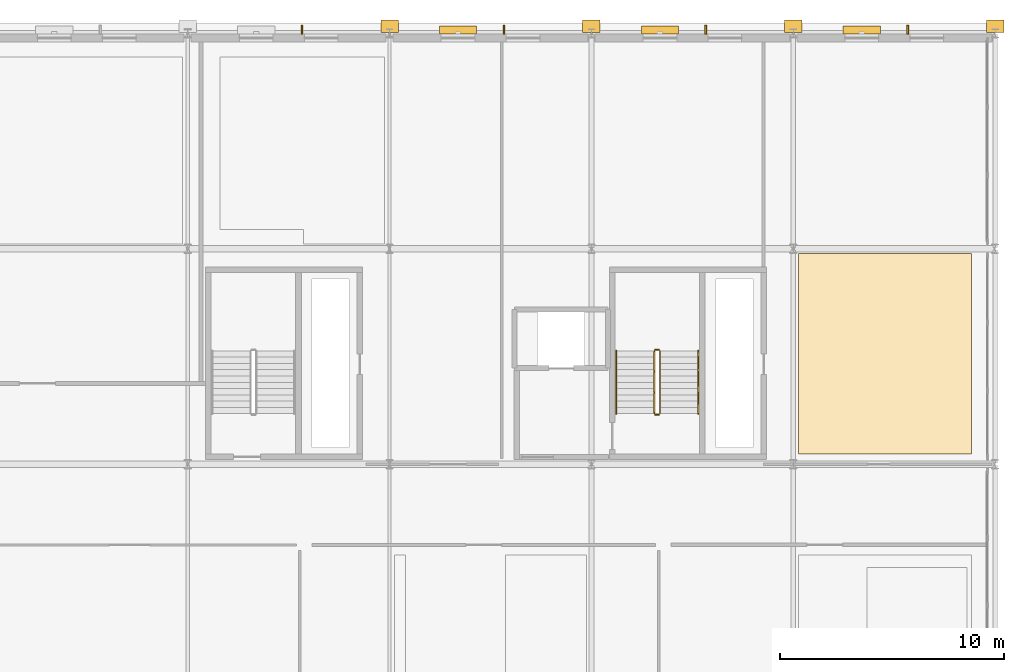
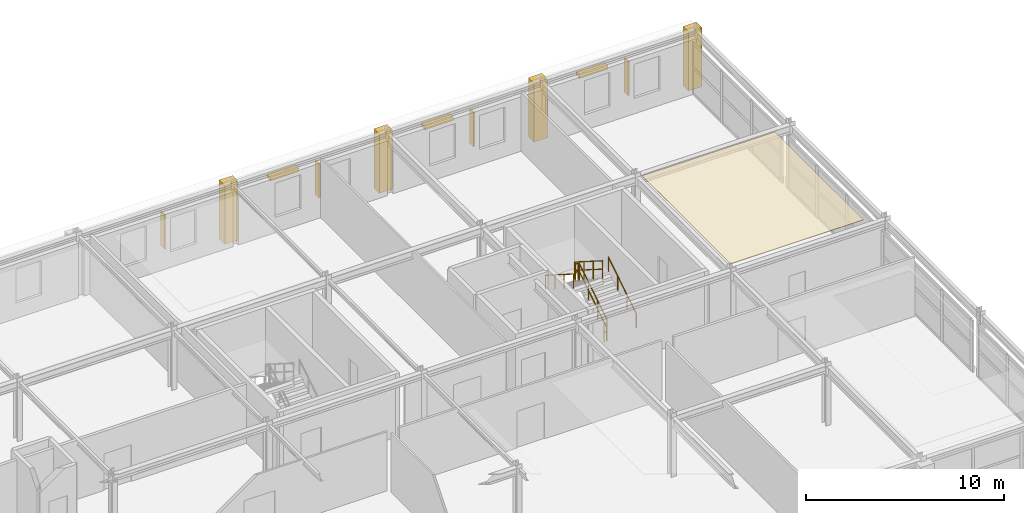
# One storey, part 52 of 52: 7 shading devices, 6 railings, 5 coverings.
"""IFC4 building model written with IfcOpenShell, lengths in metres."""

from ifc_helpers import new_model, si_unit, direction, frame, origin, origin_2d, place, context, subcontext, project, spatial, polyline, rectangle, outline, extrude, material, layer, layer_set, type_object, element, save


model = new_model("IFC4")

# Units and contexts
model_context = context("Model", 3, precision=1e-05, world=origin(), true_north=direction((0.0, 1.0)))
body_context = subcontext(model_context, "Body", "Model", "MODEL_VIEW")
ifc_project = project(units=[si_unit("LENGTHUNIT", "METRE"), si_unit("AREAUNIT", "SQUARE_METRE"), si_unit("VOLUMEUNIT", "CUBIC_METRE"), si_unit("PLANEANGLEUNIT", "RADIAN"), si_unit("MASSUNIT", "GRAM", prefix="KILO")], contexts=[model_context])

# Site, building, storey
site_placement = place(None, origin())
site = spatial("IfcSite", under=ifc_project, at=site_placement, CompositionType="ELEMENT")
building_placement = place(site_placement, origin())
building = spatial("IfcBuilding", under=site, at=building_placement, Name="Myrtia Square Station", CompositionType="ELEMENT")
storey_placement = place(building_placement, frame((0.0, 0.0, 15.0)))
storey = spatial("IfcBuildingStorey", under=building, at=storey_placement, Name="L03", CompositionType="ELEMENT", Elevation=15.0)

# Coverings
ifc_material_1 = material(Name="Pentelic marble ashlar", Category="masonry")
ifc_layer_1 = layer(ifc_material_1, 0.4599609375, Name="Pentelic marble ashlar")
ifc_layer_set_1 = layer_set([ifc_layer_1], Name="Pentelic marble ashlar")
covering_type_1 = type_object("IfcCoveringType", Name="COV-ARCH-ASHLAR", PredefinedType="CLADDING", material=ifc_layer_set_1)
for number, where, z_axis, x_axis, name in (
    (1, (162.0, 125.1201171875, -0.0400390625), (0.0, 0.0, 1.0), (1.0, 0.0, 0.0), "Classical Pentelic ashlar pilaster 102"),
    (2, (171.0, 125.1201171875, -0.0400390625), (0.0, 0.0, 1.0), (1.0, 0.0, 0.0), "Classical Pentelic ashlar pilaster 112"),
    (3, (180.0, 125.1201171875, -0.0400390625), (0.0, 0.0, 1.0), (1.0, 0.0, 0.0), "Classical Pentelic ashlar pilaster 122"),
    (4, (189.0, 125.1201171875, -0.0400390625), (0.0, 0.0, 1.0), (1.0, 0.0, 0.0), "Classical Pentelic ashlar pilaster 131"),
):
    element("IfcCovering", number, at=place(storey_placement, frame(where, z_axis=z_axis, x_axis=x_axis)), inside=storey, type_object=covering_type_1, Name=name, PredefinedType="CLADDING", context=body_context, shape_type="SweptSolid", body=[
        extrude(rectangle(XDim=0.780029296875, YDim=0.56005859375, at=origin_2d()), origin(), (0.0, 0.0, 1.0), 3.639892578125),
    ])
ifc_material_2 = material(Name="Gypsum plasterboard")
ifc_layer_2 = layer(ifc_material_2, 0.034912109375, Name="Gypsum plasterboard")
ifc_layer_set_2 = layer_set([ifc_layer_2], Name="Gypsum plasterboard")
covering_type_2 = type_object("IfcCoveringType", Name="COV-CEIL-ACOUSTIC", PredefinedType="CEILING", material=ifc_layer_set_2)
covering_placement = place(storey_placement, frame((0.0, 0.0, 3.625)))
element("IfcCovering", 5, at=covering_placement, inside=storey, type_object=covering_type_2, Name="Acoustic coffer ceiling L03-17", PredefinedType="CEILING", context=body_context, shape_type="SweptSolid", body=[
    extrude(outline(polyline([(187.949951171875, 106.050048828125), (180.219970703125, 106.050048828125), (180.219970703125, 114.97998046875), (187.949951171875, 114.97998046875), (187.949951171875, 106.050048828125)])), origin(), (0.0, 0.0, 1.0), 0.034912109375),
])

# Railings
ifc_material_3 = material(Name="Dark bronze anodised aluminium", Category="aluminium")
railing_type_1 = type_object("IfcRailingType", Name="RL-HANDRAIL-900", PredefinedType="HANDRAIL", material=ifc_material_3)
railing_1_placement = place(storey_placement, frame((175.760009765625, 107.85009765625, 0.17724609375)))
element("IfcRailing", 6, at=railing_1_placement, inside=storey, type_object=railing_type_1, Name="L03 ST08 stair handrail 1", PredefinedType="HANDRAIL", context=body_context, shape_type="SweptSolid", body=[
    extrude(rectangle(XDim=0.048095703125, YDim=0.048095703125, at=origin_2d()), frame((0.0, 0.029296875, 0.894287109375), z_axis=(0.0, 0.844887892834, 0.53494340686), x_axis=(-1.0, 0.0, 0.0)), (0.0, 0.0, 1.0), 1.035400390625),
    extrude(rectangle(XDim=0.048095703125, YDim=0.048095703125, at=origin_2d()), frame((0.0, 0.962646484375, 1.4853515625), z_axis=(0.0, 0.844887892834, 0.53494340686), x_axis=(-1.0, 0.0, 0.0)), (0.0, 0.0, 1.0), 1.035400390625),
    extrude(rectangle(XDim=0.048095703125, YDim=0.048095703125, at=origin_2d()), frame((0.0, 1.895751953125, 2.076171875), z_axis=(0.0, 0.844887892834, 0.53494340686), x_axis=(-1.0, 0.0, 0.0)), (0.0, 0.0, 1.0), 1.035400390625),
    extrude(rectangle(XDim=0.0439453125, YDim=0.0439453125, at=origin_2d()), origin(), (0.0, 0.0, 1.0), 0.89990234375),
    extrude(rectangle(XDim=0.0439453125, YDim=0.0439453125, at=origin_2d()), frame((0.0, 0.933349609375, 0.5908203125)), (0.0, 0.0, 1.0), 0.89990234375),
    extrude(rectangle(XDim=0.0439453125, YDim=0.0439453125, at=origin_2d()), frame((0.0, 1.866455078125, 1.181884765625)), (0.0, 0.0, 1.0), 0.89990234375),
    extrude(rectangle(XDim=0.0439453125, YDim=0.0439453125, at=origin_2d()), frame((0.0, 2.7998046875, 1.772705078125)), (0.0, 0.0, 1.0), 0.89990234375),
])
railing_2_placement = place(storey_placement, frame((172.10009765625, 110.64990234375, 2.127197265625)))
element("IfcRailing", 7, at=railing_2_placement, inside=storey, type_object=railing_type_1, Name="L03 ST08 stair handrail 2", PredefinedType="HANDRAIL", context=body_context, shape_type="SweptSolid", body=[
    extrude(rectangle(XDim=0.048095703125, YDim=0.048095703125, at=origin_2d()), frame((0.0, -0.029296875, 0.894287109375), z_axis=(0.0, -0.844887892834, 0.53494340686), x_axis=(1.0, 0.0, 0.0)), (0.0, 0.0, 1.0), 1.035400390625),
    extrude(rectangle(XDim=0.048095703125, YDim=0.048095703125, at=origin_2d()), frame((0.0, -0.962646484375, 1.4853515625), z_axis=(0.0, -0.844887892834, 0.53494340686), x_axis=(1.0, 0.0, 0.0)), (0.0, 0.0, 1.0), 1.035400390625),
    extrude(rectangle(XDim=0.048095703125, YDim=0.048095703125, at=origin_2d()), frame((0.0, -1.895751953125, 2.076171875), z_axis=(0.0, -0.844887892834, 0.53494340686), x_axis=(1.0, 0.0, 0.0)), (0.0, 0.0, 1.0), 1.035400390625),
    extrude(rectangle(XDim=0.0439453125, YDim=0.0439453125, at=origin_2d()), origin(), (0.0, 0.0, 1.0), 0.89990234375),
    extrude(rectangle(XDim=0.0439453125, YDim=0.0439453125, at=origin_2d()), frame((0.0, -0.933349609375, 0.5908203125)), (0.0, 0.0, 1.0), 0.89990234375),
    extrude(rectangle(XDim=0.0439453125, YDim=0.0439453125, at=origin_2d()), frame((0.0, -1.866455078125, 1.181884765625)), (0.0, 0.0, 1.0), 0.89990234375),
    extrude(rectangle(XDim=0.0439453125, YDim=0.0439453125, at=origin_2d()), frame((0.0, -2.7998046875, 1.772705078125)), (0.0, 0.0, 1.0), 0.89990234375),
])
ifc_material_4 = material(Name="Wrought iron", Category="steel")
railing_type_2 = type_object("IfcRailingType", Name="RL-INT-GUARD-1100", PredefinedType="BALUSTRADE", material=ifc_material_4)
railing_3_placement = place(storey_placement, frame((174.06005859375, 107.85009765625, 0.17724609375)))
element("IfcRailing", 8, at=railing_3_placement, inside=storey, type_object=railing_type_2, Name="L03 ST08 stair guard 1", PredefinedType="BALUSTRADE", context=body_context, shape_type="SweptSolid", body=[
    extrude(rectangle(XDim=0.048095703125, YDim=0.048095703125, at=origin_2d()), frame((0.0, 0.029296875, 1.114501953125), z_axis=(0.0, 0.844887892834, 0.53494340686), x_axis=(-1.0, 0.0, 0.0)), (0.0, 0.0, 1.0), 1.035400390625),
    extrude(rectangle(XDim=0.048095703125, YDim=0.048095703125, at=origin_2d()), frame((0.0, 0.029296875, 0.60107421875), z_axis=(0.0, 0.844887892834, 0.53494340686), x_axis=(-1.0, 0.0, 0.0)), (0.0, 0.0, 1.0), 1.035400390625),
    extrude(rectangle(XDim=0.048095703125, YDim=0.048095703125, at=origin_2d()), frame((0.0, 0.962646484375, 1.70556640625), z_axis=(0.0, 0.844887892834, 0.53494340686), x_axis=(-1.0, 0.0, 0.0)), (0.0, 0.0, 1.0), 1.035400390625),
    extrude(rectangle(XDim=0.048095703125, YDim=0.048095703125, at=origin_2d()), frame((0.0, 0.962646484375, 1.19189453125), z_axis=(0.0, 0.844887892834, 0.53494340686), x_axis=(-1.0, 0.0, 0.0)), (0.0, 0.0, 1.0), 1.035400390625),
    extrude(rectangle(XDim=0.048095703125, YDim=0.048095703125, at=origin_2d()), frame((0.0, 1.895751953125, 2.29638671875), z_axis=(0.0, 0.844887892834, 0.53494340686), x_axis=(-1.0, 0.0, 0.0)), (0.0, 0.0, 1.0), 1.035400390625),
    extrude(rectangle(XDim=0.048095703125, YDim=0.048095703125, at=origin_2d()), frame((0.0, 1.895751953125, 1.78271484375), z_axis=(0.0, 0.844887892834, 0.53494340686), x_axis=(-1.0, 0.0, 0.0)), (0.0, 0.0, 1.0), 1.035400390625),
    extrude(rectangle(XDim=0.0439453125, YDim=0.0439453125, at=origin_2d()), origin(), (0.0, 0.0, 1.0), 1.1201171875),
    extrude(rectangle(XDim=0.0439453125, YDim=0.0439453125, at=origin_2d()), frame((0.0, 0.933349609375, 0.5908203125)), (0.0, 0.0, 1.0), 1.1201171875),
    extrude(rectangle(XDim=0.0439453125, YDim=0.0439453125, at=origin_2d()), frame((0.0, 1.866455078125, 1.181884765625)), (0.0, 0.0, 1.0), 1.1201171875),
    extrude(rectangle(XDim=0.0439453125, YDim=0.0439453125, at=origin_2d()), frame((0.0, 2.7998046875, 1.772705078125)), (0.0, 0.0, 1.0), 1.1201171875),
])
railing_4_placement = place(storey_placement, frame((174.010009765625, 110.699951171875, 1.949951171875)))
element("IfcRailing", 9, at=railing_4_placement, inside=storey, type_object=railing_type_2, Name="L03 ST08 stair guard 2", PredefinedType="BALUSTRADE", context=body_context, shape_type="SweptSolid", body=[
    extrude(rectangle(XDim=0.048095703125, YDim=0.048095703125, at=origin_2d()), frame((-0.03466796875, 0.0, 1.09619140625), z_axis=(-1.0, 0.0, 0.0), x_axis=(0.0, -1.0, 0.0)), (0.0, 0.0, 1.0), 0.090576171875),
    extrude(rectangle(XDim=0.048095703125, YDim=0.048095703125, at=origin_2d()), frame((-0.03466796875, 0.0, 0.58251953125), z_axis=(-1.0, 0.0, 0.0), x_axis=(0.0, -1.0, 0.0)), (0.0, 0.0, 1.0), 0.090576171875),
    extrude(rectangle(XDim=0.0439453125, YDim=0.0439453125, at=origin_2d()), origin(), (0.0, 0.0, 1.0), 1.1201171875),
    extrude(rectangle(XDim=0.0439453125, YDim=0.0439453125, at=origin_2d()), frame((-0.159912109375, 0.0, 0.0)), (0.0, 0.0, 1.0), 1.1201171875),
])
railing_5_placement = place(storey_placement, frame((173.800048828125, 110.64990234375, 2.127197265625)))
element("IfcRailing", 10, at=railing_5_placement, inside=storey, type_object=railing_type_2, Name="L03 ST08 stair guard 3", PredefinedType="BALUSTRADE", context=body_context, shape_type="SweptSolid", body=[
    extrude(rectangle(XDim=0.048095703125, YDim=0.048095703125, at=origin_2d()), frame((0.0, -0.029296875, 1.114501953125), z_axis=(0.0, -0.844887892834, 0.53494340686), x_axis=(1.0, 0.0, 0.0)), (0.0, 0.0, 1.0), 1.035400390625),
    extrude(rectangle(XDim=0.048095703125, YDim=0.048095703125, at=origin_2d()), frame((0.0, -0.029296875, 0.60107421875), z_axis=(0.0, -0.844887892834, 0.53494340686), x_axis=(1.0, 0.0, 0.0)), (0.0, 0.0, 1.0), 1.035400390625),
    extrude(rectangle(XDim=0.048095703125, YDim=0.048095703125, at=origin_2d()), frame((0.0, -0.962646484375, 1.70556640625), z_axis=(0.0, -0.844887892834, 0.53494340686), x_axis=(1.0, 0.0, 0.0)), (0.0, 0.0, 1.0), 1.035400390625),
    extrude(rectangle(XDim=0.048095703125, YDim=0.048095703125, at=origin_2d()), frame((0.0, -0.962646484375, 1.19189453125), z_axis=(0.0, -0.844887892834, 0.53494340686), x_axis=(1.0, 0.0, 0.0)), (0.0, 0.0, 1.0), 1.035400390625),
    extrude(rectangle(XDim=0.048095703125, YDim=0.048095703125, at=origin_2d()), frame((0.0, -1.895751953125, 2.29638671875), z_axis=(0.0, -0.844887892834, 0.53494340686), x_axis=(1.0, 0.0, 0.0)), (0.0, 0.0, 1.0), 1.035400390625),
    extrude(rectangle(XDim=0.048095703125, YDim=0.048095703125, at=origin_2d()), frame((0.0, -1.895751953125, 1.78271484375), z_axis=(0.0, -0.844887892834, 0.53494340686), x_axis=(1.0, 0.0, 0.0)), (0.0, 0.0, 1.0), 1.035400390625),
    extrude(rectangle(XDim=0.0439453125, YDim=0.0439453125, at=origin_2d()), origin(), (0.0, 0.0, 1.0), 1.1201171875),
    extrude(rectangle(XDim=0.0439453125, YDim=0.0439453125, at=origin_2d()), frame((0.0, -0.933349609375, 0.5908203125)), (0.0, 0.0, 1.0), 1.1201171875),
    extrude(rectangle(XDim=0.0439453125, YDim=0.0439453125, at=origin_2d()), frame((0.0, -1.866455078125, 1.181884765625)), (0.0, 0.0, 1.0), 1.1201171875),
    extrude(rectangle(XDim=0.0439453125, YDim=0.0439453125, at=origin_2d()), frame((0.0, -2.7998046875, 1.772705078125)), (0.0, 0.0, 1.0), 1.1201171875),
])
railing_6_placement = place(storey_placement, frame((174.010009765625, 107.800048828125, 0.0)))
element("IfcRailing", 11, at=railing_6_placement, inside=storey, type_object=railing_type_2, Name="L03 ST08 stair guard 4", PredefinedType="BALUSTRADE", context=body_context, shape_type="SweptSolid", body=[
    extrude(rectangle(XDim=0.048095703125, YDim=0.048095703125, at=origin_2d()), frame((-0.03466796875, 0.0, 1.09619140625), z_axis=(-1.0, 0.0, 0.0), x_axis=(0.0, -1.0, 0.0)), (0.0, 0.0, 1.0), 0.090576171875),
    extrude(rectangle(XDim=0.048095703125, YDim=0.048095703125, at=origin_2d()), frame((-0.03466796875, 0.0, 0.58251953125), z_axis=(-1.0, 0.0, 0.0), x_axis=(0.0, -1.0, 0.0)), (0.0, 0.0, 1.0), 0.090576171875),
    extrude(rectangle(XDim=0.0439453125, YDim=0.0439453125, at=origin_2d()), origin(), (0.0, 0.0, 1.0), 1.1201171875),
    extrude(rectangle(XDim=0.0439453125, YDim=0.0439453125, at=origin_2d()), frame((-0.159912109375, 0.0, 0.0)), (0.0, 0.0, 1.0), 1.1201171875),
])

# Shading devices
shading_device_type_1 = type_object("IfcShadingDeviceType", Name="SHD-FIN-BRONZE", PredefinedType="USERDEFINED", material=ifc_material_3)
for number, where, z_axis, x_axis, name in (
    (12, (158.097900390625, 124.969970703125, 0.949951171875), (0.0, 0.0, 1.0), (1.0, 0.0, 0.0), "Vertical bronze solar fin SHF-066"),
    (13, (167.097900390625, 124.969970703125, 0.949951171875), (0.0, 0.0, 1.0), (1.0, 0.0, 0.0), "Vertical bronze solar fin SHF-067"),
    (14, (176.097900390625, 124.969970703125, 0.949951171875), (0.0, 0.0, 1.0), (1.0, 0.0, 0.0), "Vertical bronze solar fin SHF-068"),
    (15, (185.097900390625, 124.969970703125, 0.949951171875), (0.0, 0.0, 1.0), (1.0, 0.0, 0.0), "Vertical bronze solar fin SHF-069"),
):
    element("IfcShadingDevice", number, at=place(storey_placement, frame(where, z_axis=z_axis, x_axis=x_axis)), inside=storey, type_object=shading_device_type_1, Name=name, ObjectType="FIN", PredefinedType="USERDEFINED", context=body_context, shape_type="SweptSolid", body=[
        extrude(rectangle(XDim=0.080078125, YDim=0.389892578125, at=origin_2d()), origin(), (0.0, 0.0, 1.0), 2.10009765625),
    ])
shading_device_type_2 = type_object("IfcShadingDeviceType", Name="SHD-JALOUSIE-BRONZE", PredefinedType="JALOUSIE", material=ifc_material_3)
for number, where, z_axis, x_axis, name in (
    (16, (165.052001953125, 124.949951171875, 2.990234375), (0.0, 0.0, 1.0), (1.0, 0.0, 0.0), "Mediterranean bronze solar louvre SHL-067"),
    (17, (174.052001953125, 124.949951171875, 2.990234375), (0.0, 0.0, 1.0), (1.0, 0.0, 0.0), "Mediterranean bronze solar louvre SHL-068"),
    (18, (183.052001953125, 124.949951171875, 2.990234375), (0.0, 0.0, 1.0), (1.0, 0.0, 0.0), "Mediterranean bronze solar louvre SHL-069"),
):
    element("IfcShadingDevice", number, at=place(storey_placement, frame(where, z_axis=z_axis, x_axis=x_axis)), inside=storey, type_object=shading_device_type_2, Name=name, PredefinedType="JALOUSIE", context=body_context, shape_type="SweptSolid", body=[
        extrude(rectangle(XDim=1.659912109375, YDim=0.35009765625, at=origin_2d()), origin(), (0.0, 0.0, 1.0), 0.219970703125),
    ])

save(model, "model.ifc")
